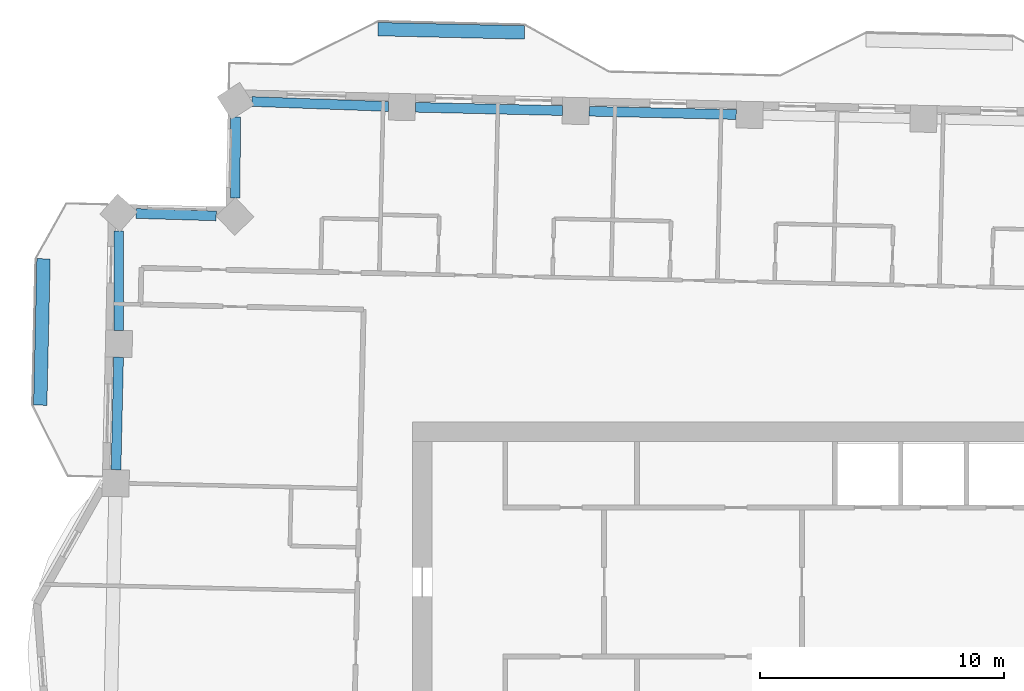
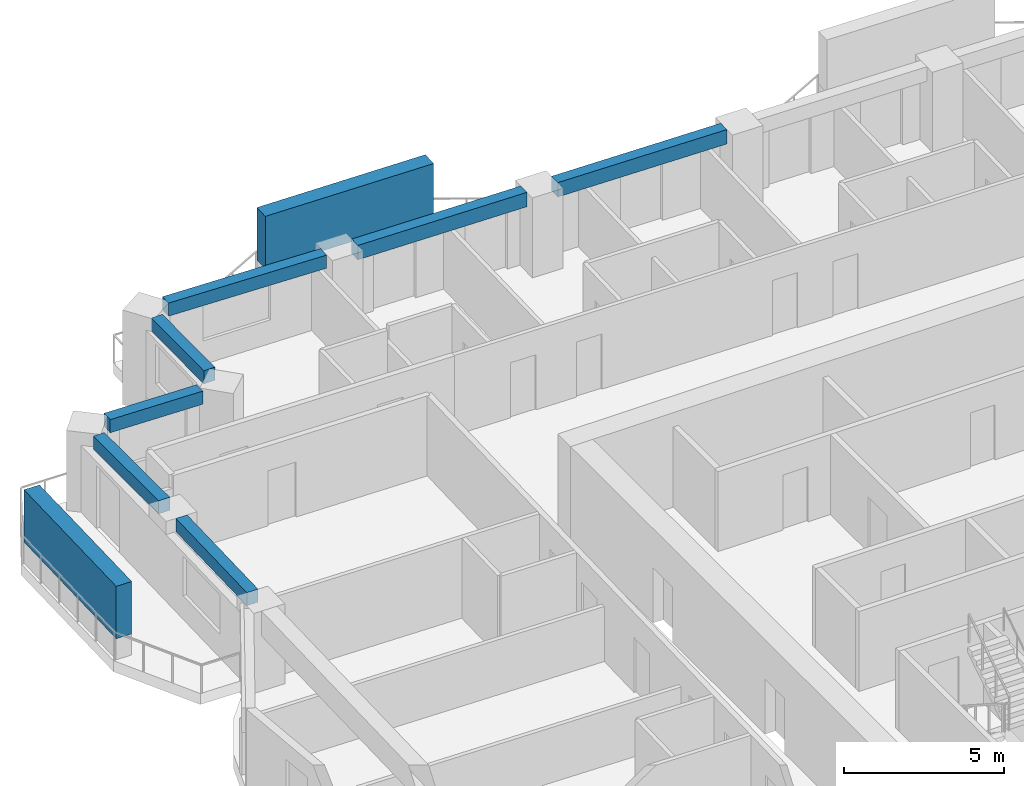
# One storey, part 3 of 16: 7 beams, 2 members.
"""IFC4 building model written with IfcOpenShell, lengths in metres."""

from ifc_helpers import new_model, si_unit, direction, frame, origin, origin_2d, place, context, subcontext, project, spatial, rectangle, extrude, material, material_profile, profile_set, type_object, element, save


model = new_model("IFC4")

# Units and contexts
model_context = context("Model", 3, precision=1e-05, world=origin(), true_north=direction((0.0, 1.0)))
body_context = subcontext(model_context, "Body", "Model", "MODEL_VIEW")
ifc_project = project(units=[si_unit("LENGTHUNIT", "METRE"), si_unit("AREAUNIT", "SQUARE_METRE"), si_unit("VOLUMEUNIT", "CUBIC_METRE"), si_unit("PLANEANGLEUNIT", "RADIAN"), si_unit("MASSUNIT", "GRAM", prefix="KILO")], contexts=[model_context])

# Site, building, storey
site_placement = place(None, origin())
site = spatial("IfcSite", under=ifc_project, at=site_placement, CompositionType="ELEMENT")
building_placement = place(site_placement, origin())
building = spatial("IfcBuilding", under=site, at=building_placement, Name="Mangrove Gate Tower", CompositionType="ELEMENT")
storey_placement = place(building_placement, frame((0.0, 0.0, 215.89990234375)))
storey = spatial("IfcBuildingStorey", under=building, at=storey_placement, Name="L55", CompositionType="ELEMENT", Elevation=215.89990234375)

# Members
ifc_material_1 = material(Name="Planting on aluminium trellis", Category="aluminium")
ifc_material_profile_1 = material_profile(ifc_material_1, rectangle(XDim=0.550048828125, YDim=2.0, at=origin_2d()))
ifc_profile_set_1 = profile_set([ifc_material_profile_1], Name="Planting on aluminium trellis")
member_type = type_object("IfcMemberType", Name="Balcony greenery screen 550x2000", PredefinedType="USERDEFINED", material=ifc_profile_set_1)
for number, where, z_axis, x_axis, name in (
    (1, (-16.011962890625, 27.698974609375, 1.800048828125), (0.999743094499, -0.022665943652, 0.0), (0.022665943652, 0.999743094499, 0.0), "GREEN SCREEN L55 N1.1"),
    (2, (-29.85302734375, 12.2939453125, 1.800048828125), (0.022665943652, 0.999743094499, 0.0), (-0.999743094499, 0.022665943652, 0.0), "GREEN SCREEN L55 W0.1"),
):
    element("IfcMember", number, at=place(storey_placement, frame(where, z_axis=z_axis, x_axis=x_axis)), inside=storey, type_object=member_type, Name=name, ObjectType="PLANTING", PredefinedType="USERDEFINED", context=body_context, shape_type="SweptSolid", body=[
        extrude(rectangle(XDim=0.550048828125, YDim=2.0, at=origin_2d()), origin(), (0.0, 0.0, 1.0), 5.99951171875),
    ])

# Beams
ifc_material_2 = material(Name="Concrete C50/60", Category="concrete")
ifc_material_profile_2 = material_profile(ifc_material_2, rectangle(XDim=0.39990234375, YDim=0.5, at=origin_2d()))
ifc_profile_set_2 = profile_set([ifc_material_profile_2], Name="Concrete C50/60")
beam_type_1 = type_object("IfcBeamType", Name="Edge beam RC 400x500 C50/60", PredefinedType="BEAM", material=ifc_profile_set_2)
beam_1_placement = place(storey_placement, frame((-15.582275390625, 24.5302734375, 2.800048828125), z_axis=(-0.999333407376, 0.036506724074, 0.0), x_axis=(-0.036506724074, -0.999333407376, 0.0)))
element("IfcBeam", 3, at=beam_1_placement, inside=storey, type_object=beam_type_1, Name="Edge beam L55 24", PredefinedType="BEAM", context=body_context, shape_type="SweptSolid", body=[
    extrude(rectangle(XDim=0.39990234375, YDim=0.5, at=origin_2d()), origin(), (0.0, 0.0, 1.0), 5.597412109375),
])
beam_2_placement = place(storey_placement, frame((-21.8486328125, 24.103271484375, 2.800048828125), z_axis=(-0.005526405917, -0.999984729302, 0.0), x_axis=(0.999984729302, -0.005526405917, 0.0)))
element("IfcBeam", 4, at=beam_2_placement, inside=storey, type_object=beam_type_1, Name="Edge beam L55 25", PredefinedType="BEAM", context=body_context, shape_type="SweptSolid", body=[
    extrude(rectangle(XDim=0.39990234375, YDim=0.5, at=origin_2d()), origin(), (0.0, 0.0, 1.0), 3.313232421875),
])
beam_3_placement = place(storey_placement, frame((-22.642822265625, 20.048583984375, 2.800048828125), z_axis=(-0.999548316967, 0.030052654614, 0.0), x_axis=(-0.030052654614, -0.999548316967, 0.0)))
element("IfcBeam", 5, at=beam_3_placement, inside=storey, type_object=beam_type_1, Name="Edge beam L55 26", PredefinedType="BEAM", context=body_context, shape_type="SweptSolid", body=[
    extrude(rectangle(XDim=0.39990234375, YDim=0.5, at=origin_2d()), origin(), (0.0, 0.0, 1.0), 3.281982421875),
])
beam_4_placement = place(storey_placement, frame((-26.63623046875, 19.435302734375, 2.800048828125), z_axis=(0.001317521913, -0.999999132068, 0.0), x_axis=(0.999999132068, 0.001317521913, 0.0)))
element("IfcBeam", 6, at=beam_4_placement, inside=storey, type_object=beam_type_1, Name="Edge beam L55 27", PredefinedType="BEAM", context=body_context, shape_type="SweptSolid", body=[
    extrude(rectangle(XDim=0.39990234375, YDim=0.5, at=origin_2d()), origin(), (0.0, 0.0, 1.0), 4.07666015625),
])
beam_5_placement = place(storey_placement, frame((-26.642578125, 14.2587890625, 2.800048828125), z_axis=(-0.022605956435, -0.999744452715, 0.0), x_axis=(0.999744452715, -0.022605956435, 0.0)))
element("IfcBeam", 7, at=beam_5_placement, inside=storey, type_object=beam_type_1, Name="Edge beam L55 28", PredefinedType="BEAM", context=body_context, shape_type="SweptSolid", body=[
    extrude(rectangle(XDim=0.39990234375, YDim=0.5, at=origin_2d()), origin(), (0.0, 0.0, 1.0), 4.611572265625),
])
ifc_material_3 = material(Name="Concrete C50/60", Category="concrete")
ifc_material_profile_3 = material_profile(ifc_material_3, rectangle(XDim=0.39990234375, YDim=0.550048828125, at=origin_2d()))
ifc_profile_set_3 = profile_set([ifc_material_profile_3], Name="Concrete C50/60")
beam_type_2 = type_object("IfcBeamType", Name="Edge beam RC 400x550 C50/60", PredefinedType="BEAM", material=ifc_profile_set_3)
for number, where, z_axis, x_axis, name in (
    (8, (-1.33837890625, 24.19970703125, 2.775146484375), (-0.999741479717, 0.022737056396, 0.0), (-0.022737056396, -0.999741479717, 0.0), "Edge beam L55 22"),
    (9, (-8.46044921875, 24.361572265625, 2.775146484375), (-0.999744236189, 0.022615530214, 0.0), (-0.022615530214, -0.999744236189, 0.0), "Edge beam L55 23"),
):
    element("IfcBeam", number, at=place(storey_placement, frame(where, z_axis=z_axis, x_axis=x_axis)), inside=storey, type_object=beam_type_2, Name=name, PredefinedType="BEAM", context=body_context, shape_type="SweptSolid", body=[
        extrude(rectangle(XDim=0.39990234375, YDim=0.550048828125, at=origin_2d()), origin(), (0.0, 0.0, 1.0), 6.023681640625),
    ])

save(model, "model.ifc")
